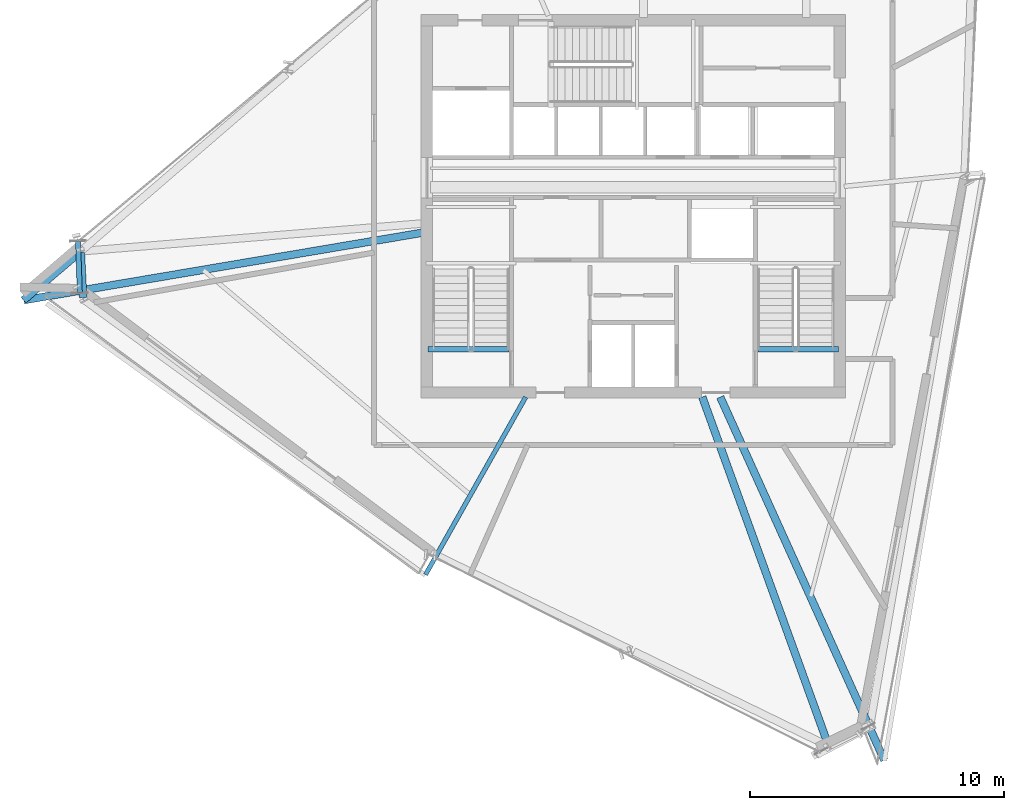
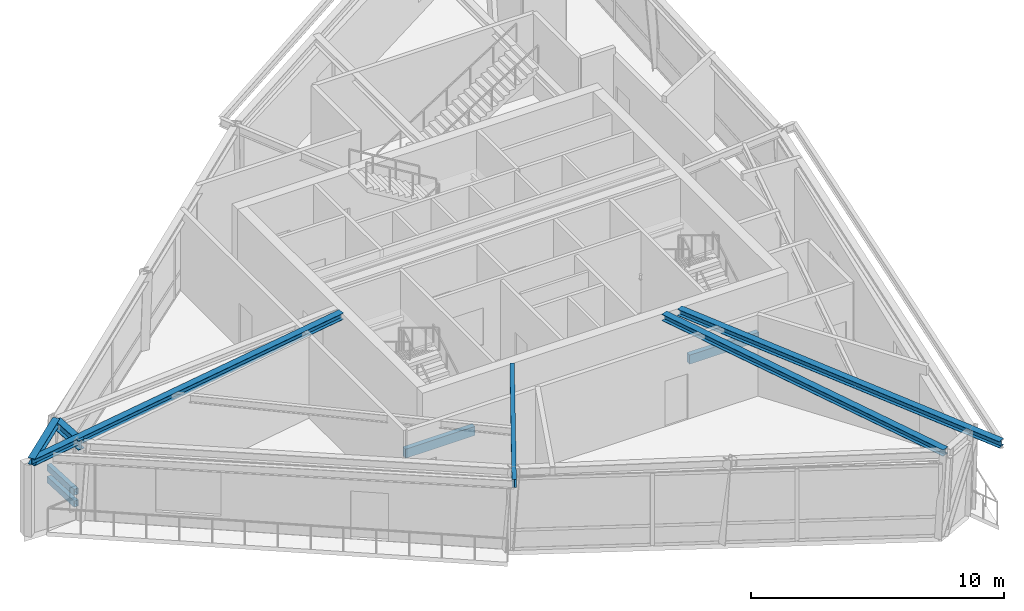
# One storey, part 5 of 21: 8 beams, 2 members.
"""IFC4 building model written with IfcOpenShell, lengths in metres."""

from ifc_helpers import new_model, si_unit, direction, frame, origin, origin_2d, place, context, subcontext, project, spatial, rectangle, hollow_rectangle, i_section, extrude, source, transform, mapped, material, material_profile, profile_set, type_object, element, save


model = new_model("IFC4")

# Units and contexts
model_context = context("Model", 3, precision=1e-05, world=origin(), true_north=direction((0.0, 1.0)))
body_context = subcontext(model_context, "Body", "Model", "MODEL_VIEW")
ifc_project = project(units=[si_unit("LENGTHUNIT", "METRE"), si_unit("AREAUNIT", "SQUARE_METRE"), si_unit("VOLUMEUNIT", "CUBIC_METRE"), si_unit("PLANEANGLEUNIT", "RADIAN"), si_unit("MASSUNIT", "GRAM", prefix="KILO")], contexts=[model_context])

# Site, building, storey
site_placement = place(None, origin())
site = spatial("IfcSite", under=ifc_project, at=site_placement, CompositionType="ELEMENT")
building_placement = place(site_placement, origin())
building = spatial("IfcBuilding", under=site, at=building_placement, Name="Olszyna Solenne Hotel", CompositionType="ELEMENT")
storey_placement = place(building_placement, frame((0.0, 0.0, 277.699951171875)))
storey = spatial("IfcBuildingStorey", under=building, at=storey_placement, Name="L74", CompositionType="ELEMENT", Elevation=277.699951171875)

# Beams
ifc_material_1 = material(Name="Steel S355J2", Category="steel")
ifc_material_profile_1 = material_profile(ifc_material_1, i_section(OverallWidth=0.300048828125, OverallDepth=0.449951171875, WebThickness=0.013916015625, FlangeThickness=0.02587890625, at=origin_2d()), Name="HEB 450", Category="load-bearing")
ifc_profile_set_1 = profile_set([ifc_material_profile_1], Name="Steel S355J2")
beam_type_1 = type_object("IfcBeamType", Name="BM-S4", PredefinedType="BEAM", material=ifc_profile_set_1)
shared_shape_1 = source(origin(), body_context, "Body", "SweptSolid", [
    extrude(i_section(OverallWidth=0.300048828125, OverallDepth=0.449951171875, WebThickness=0.013916015625, FlangeThickness=0.02587890625, at=origin_2d()), origin(), (0.0, 0.0, 1.0), 1.76806640625),
])
beam_1_placement = place(storey_placement, frame((16.25634765625, 24.772705078125, 3.695068359375), z_axis=(0.050674476288, -0.998715223401, 0.0), x_axis=(0.998715223401, 0.050674476288, 0.0)))
element("IfcBeam", 1, at=beam_1_placement, inside=storey, type_object=beam_type_1, Name="Perimeter spandrel beam BM-S4 B-L74-2172", PredefinedType="BEAM", context=body_context, shape_type="MappedRepresentation", body=[
    mapped(shared_shape_1, transform((0.0, 0.0, 0.0), x_axis=(1.0, 0.0, 0.0), y_axis=(0.0, 1.0, 0.0), z_axis=(0.0, 0.0, 1.0), scale=1.0)),
])
ifc_material_profile_2 = material_profile(ifc_material_1, i_section(OverallWidth=0.300048828125, OverallDepth=0.31005859375, WebThickness=0.009033203125, FlangeThickness=0.015380859375, at=origin_2d()), Name="HEA 320", Category="load-bearing")
ifc_profile_set_2 = profile_set([ifc_material_profile_2], Name="Steel S355J2")
beam_type_2 = type_object("IfcBeamType", Name="BM-G3", PredefinedType="BEAM", material=ifc_profile_set_2)
shared_shape_2 = source(origin(), body_context, "Body", "SweptSolid", [
    extrude(i_section(OverallWidth=0.300048828125, OverallDepth=0.31005859375, WebThickness=0.009033203125, FlangeThickness=0.015380859375, at=origin_2d()), origin(), (0.0, 0.0, 1.0), 15.905029296875),
])
beam_2_placement = place(storey_placement, frame((14.017578125, 22.9091796875, 3.76513671875), z_axis=(0.985979292509, 0.166867716301, 0.0), x_axis=(-0.166867716301, 0.985979292509, 0.0)))
element("IfcBeam", 2, at=beam_2_placement, inside=storey, type_object=beam_type_2, Name="Radial floor girder BM-G3 B-L74-2182", PredefinedType="BEAM", context=body_context, shape_type="MappedRepresentation", body=[
    mapped(shared_shape_2, transform((0.0, 0.0, 0.0), x_axis=(1.0, 0.0, 0.0), y_axis=(0.0, 1.0, 0.0), z_axis=(0.0, 0.0, 1.0), scale=1.0)),
])
ifc_material_profile_3 = material_profile(ifc_material_1, i_section(OverallWidth=0.179931640625, OverallDepth=0.39990234375, WebThickness=0.008544921875, FlangeThickness=0.013427734375, at=origin_2d()), Name="IPE 400", Category="load-bearing")
ifc_profile_set_3 = profile_set([ifc_material_profile_3], Name="Steel S355J2")
beam_type_3 = type_object("IfcBeamType", Name="BM-F5", PredefinedType="BEAM", material=ifc_profile_set_3)
shared_shape_3 = source(origin(), body_context, "Body", "SweptSolid", [
    extrude(i_section(OverallWidth=0.179931640625, OverallDepth=0.39990234375, WebThickness=0.008544921875, FlangeThickness=0.013427734375, at=origin_2d()), origin(), (0.0, 0.0, 1.0), 8.0244140625),
])
beam_3_placement = place(storey_placement, frame((29.822265625, 12.10400390625, 3.719970703125), z_axis=(0.491212881996, 0.871039553959, 0.0), x_axis=(-0.871039553959, 0.491212881996, 0.0)))
element("IfcBeam", 3, at=beam_3_placement, inside=storey, type_object=beam_type_3, Name="Radial floor girder BM-F5 B-L74-2183", PredefinedType="BEAM", context=body_context, shape_type="MappedRepresentation", body=[
    mapped(shared_shape_3, transform((0.0, 0.0, 0.0), x_axis=(1.0, 0.0, 0.0), y_axis=(0.0, 1.0, 0.0), z_axis=(0.0, 0.0, 1.0), scale=1.0)),
])
shared_shape_4 = source(origin(), body_context, "Body", "SweptSolid", [
    extrude(i_section(OverallWidth=0.300048828125, OverallDepth=0.31005859375, WebThickness=0.009033203125, FlangeThickness=0.015380859375, at=origin_2d()), origin(), (0.0, 0.0, 1.0), 14.556640625),
])
beam_4_placement = place(storey_placement, frame((45.66943359375, 5.4091796875, 3.76513671875), z_axis=(-0.340316577009, 0.940310920607, 0.0), x_axis=(-0.940310920607, -0.340316577009, 0.0)))
element("IfcBeam", 4, at=beam_4_placement, inside=storey, type_object=beam_type_2, Name="Radial floor girder BM-G3 B-L74-2184", PredefinedType="BEAM", context=body_context, shape_type="MappedRepresentation", body=[
    mapped(shared_shape_4, transform((0.0, 0.0, 0.0), x_axis=(1.0, 0.0, 0.0), y_axis=(0.0, 1.0, 0.0), z_axis=(0.0, 0.0, 1.0), scale=1.0)),
])
shared_shape_5 = source(origin(), body_context, "Body", "SweptSolid", [
    extrude(i_section(OverallWidth=0.300048828125, OverallDepth=0.31005859375, WebThickness=0.009033203125, FlangeThickness=0.015380859375, at=origin_2d()), origin(), (0.0, 0.0, 1.0), 15.68115234375),
])
beam_5_placement = place(storey_placement, frame((47.87841796875, 4.805419921875, 3.76513671875), z_axis=(-0.411757329961, 0.911293531867, 0.0), x_axis=(-0.911293531867, -0.411757329961, 0.0)))
element("IfcBeam", 5, at=beam_5_placement, inside=storey, type_object=beam_type_2, Name="Radial floor girder BM-G3 B-L74-2185", PredefinedType="BEAM", context=body_context, shape_type="MappedRepresentation", body=[
    mapped(shared_shape_5, transform((0.0, 0.0, 0.0), x_axis=(1.0, 0.0, 0.0), y_axis=(0.0, 1.0, 0.0), z_axis=(0.0, 0.0, 1.0), scale=1.0)),
])
shared_shape_6 = source(origin(), body_context, "Body", "SweptSolid", [
    extrude(i_section(OverallWidth=0.300048828125, OverallDepth=0.31005859375, WebThickness=0.009033203125, FlangeThickness=0.015380859375, at=origin_2d()), origin(), (0.0, 0.0, 1.0), 2.96630859375),
])
beam_6_placement = place(storey_placement, frame((16.25341796875, 24.83251953125, 3.76513671875), z_axis=(-0.760324562101, -0.649543347488, 0.0), x_axis=(0.649543347488, -0.760324562101, 0.0)))
element("IfcBeam", 6, at=beam_6_placement, inside=storey, type_object=beam_type_2, Name="Prism side edge beam BM-G3 B-L74-2187", PredefinedType="BEAM", context=body_context, shape_type="MappedRepresentation", body=[
    mapped(shared_shape_6, transform((0.0, 0.0, 0.0), x_axis=(1.0, 0.0, 0.0), y_axis=(0.0, 1.0, 0.0), z_axis=(0.0, 0.0, 1.0), scale=1.0)),
])

# Members
ifc_material_profile_4 = material_profile(ifc_material_1, hollow_rectangle(XDim=0.199951171875, YDim=0.300048828125, WallThickness=0.01611328125, at=origin_2d()), Name="RHS 300x200x16", Category="load-bearing")
ifc_profile_set_4 = profile_set([ifc_material_profile_4], Name="Steel S355J2")
member_type = type_object("IfcMemberType", Name="CH-PR1", PredefinedType="CHORD", material=ifc_profile_set_4)
shared_shape_7 = source(origin(), body_context, "Body", "SweptSolid", [
    extrude(hollow_rectangle(XDim=0.199951171875, YDim=0.300048828125, WallThickness=0.01611328125, at=origin_2d()), origin(), (0.0, 0.0, 1.0), 2.024169921875),
])
for number, where, z_axis, x_axis, name in (
    (7, (16.14453125, 25.226806640625, 1.35009765625), (0.034856912685, -0.999392313177, 0.0), (0.999392313177, 0.034856912685, 0.0), "Glass-prism tie chord CH-PR1 M-L74-PR1"),
    (8, (16.14453125, 25.226806640625, 0.780029296875), (0.034856912685, -0.999392313177, 0.0), (0.999392313177, 0.034856912685, 0.0), "Glass-prism tie chord CH-PR1 M-L74-PR2"),
):
    element("IfcMember", number, at=place(storey_placement, frame(where, z_axis=z_axis, x_axis=x_axis)), inside=storey, type_object=member_type, Name=name, PredefinedType="CHORD", context=body_context, shape_type="MappedRepresentation", body=[
        mapped(shared_shape_7, transform((0.0, 0.0, 0.0), x_axis=(1.0, 0.0, 0.0), y_axis=(0.0, 1.0, 0.0), z_axis=(0.0, 0.0, 1.0), scale=1.0)),
    ])

# Beams
ifc_material_2 = material(Name="Concrete C50/60", Category="concrete")
ifc_material_profile_5 = material_profile(ifc_material_2, rectangle(XDim=0.219970703125, YDim=0.43994140625, at=origin_2d()), Name="RC 220x440", Category="load-bearing")
ifc_profile_set_5 = profile_set([ifc_material_profile_5], Name="Concrete C50/60")
beam_type_4 = type_object("IfcBeamType", Name="BM-ST1", PredefinedType="BEAM", material=ifc_profile_set_5)
shared_shape_8 = source(origin(), body_context, "Body", "SweptSolid", [
    extrude(rectangle(XDim=0.219970703125, YDim=0.43994140625, at=origin_2d()), origin(), (0.0, 0.0, 1.0), 3.18017578125),
])
for number, where, z_axis, x_axis, name in (
    (9, (33.10009765625, 20.97998046875, -0.204833984375), (-1.0, 0.0, 0.0), (0.0, -1.0, 0.0), "Concrete stair trimmer beam BM-ST1 SHB-ST1-0236"),
    (10, (46.080078125, 20.97998046875, -0.204833984375), (-1.0, 0.0, 0.0), (0.0, -1.0, 0.0), "Concrete stair trimmer beam BM-ST1 SHB-ST2-0476"),
):
    element("IfcBeam", number, at=place(storey_placement, frame(where, z_axis=z_axis, x_axis=x_axis)), inside=storey, type_object=beam_type_4, Name=name, PredefinedType="BEAM", context=body_context, shape_type="MappedRepresentation", body=[
        mapped(shared_shape_8, transform((0.0, 0.0, 0.0), x_axis=(1.0, 0.0, 0.0), y_axis=(0.0, 1.0, 0.0), z_axis=(0.0, 0.0, 1.0), scale=1.0)),
    ])

save(model, "model.ifc")
